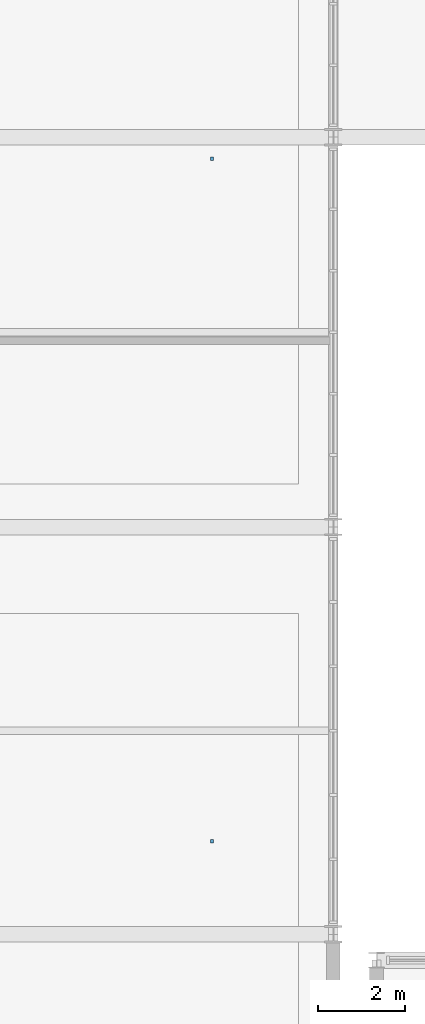
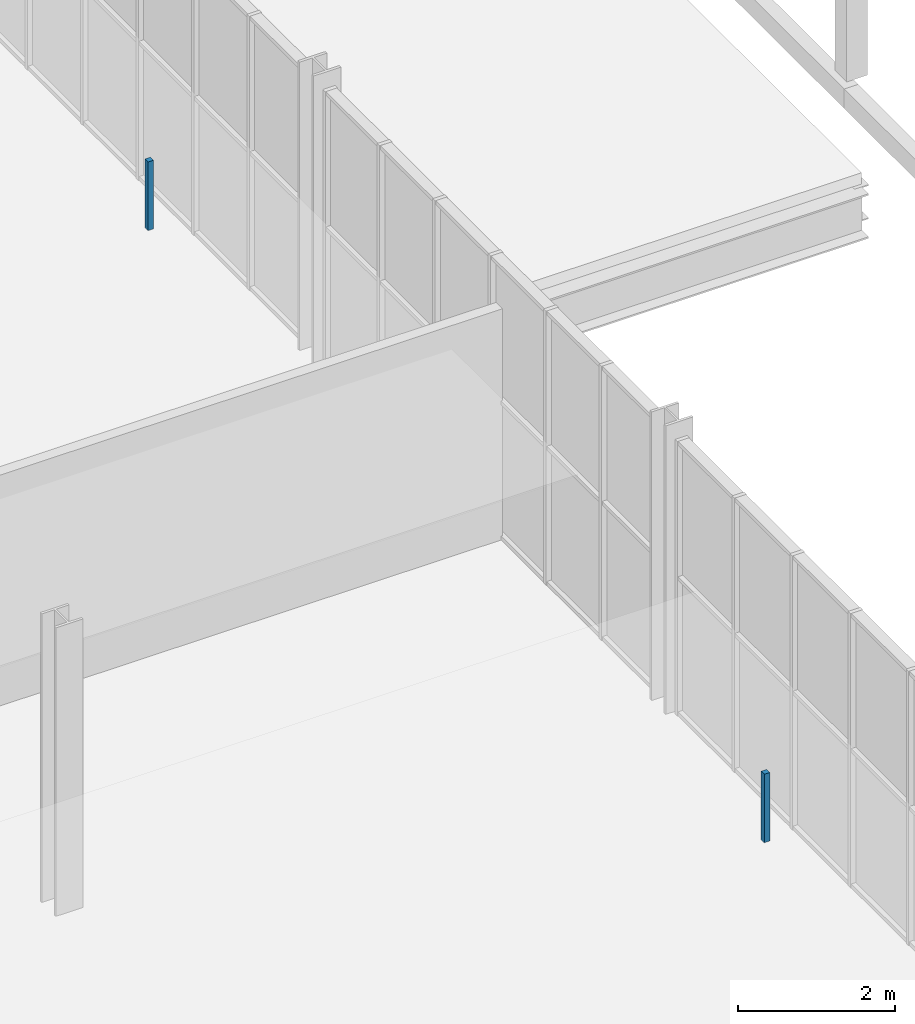
# One storey, part 120 of 134: 2 discrete accessories.
"""IFC4 building model written with IfcOpenShell, lengths in metres."""

from ifc_helpers import new_model, si_unit, direction, frame, origin, origin_2d, place, context, subcontext, project, spatial, rectangle, extrude, material, type_object, element, save


model = new_model("IFC4")

# Units and contexts
model_context = context("Model", 3, precision=1e-05, world=origin(), true_north=direction((0.0, 1.0)))
body_context = subcontext(model_context, "Body", "Model", "MODEL_VIEW")
ifc_project = project(units=[si_unit("LENGTHUNIT", "METRE"), si_unit("AREAUNIT", "SQUARE_METRE"), si_unit("VOLUMEUNIT", "CUBIC_METRE"), si_unit("PLANEANGLEUNIT", "RADIAN"), si_unit("MASSUNIT", "GRAM", prefix="KILO")], contexts=[model_context])

# Site, building, storey
site_placement = place(None, origin())
site = spatial("IfcSite", under=ifc_project, at=site_placement, CompositionType="ELEMENT")
building_placement = place(site_placement, origin())
building = spatial("IfcBuilding", under=site, at=building_placement, Name="Cazmaro Siding Exhibition Halls", CompositionType="ELEMENT")
storey_placement = place(building_placement, frame((0.0, 0.0, 12.0)))
storey = spatial("IfcBuildingStorey", under=building, at=storey_placement, Name="L02", CompositionType="ELEMENT", Elevation=12.0)

# Discrete accessories
ifc_material = material(Name="Steel ASTM A572 Grade 50", Category="steel")
discrete_accessory_type = type_object("IfcDiscreteAccessoryType", Name="SBK-02", PredefinedType="BRACKET", material=ifc_material)
for number, where, z_axis, x_axis, name in (
    (1, (33.199951171875, 65.75, 3.2197265625), (0.0, 0.0, 1.0), (1.0, 0.0, 0.0), "Ceiling Cloud Hanger Bracket SBK-02 010"),
    (2, (33.199951171875, 81.5, 3.2197265625), (0.0, 0.0, 1.0), (1.0, 0.0, 0.0), "Ceiling Cloud Hanger Bracket SBK-02 012"),
):
    element("IfcDiscreteAccessory", number, at=place(storey_placement, frame(where, z_axis=z_axis, x_axis=x_axis)), inside=storey, type_object=discrete_accessory_type, Name=name, PredefinedType="BRACKET", context=body_context, shape_type="SweptSolid", body=[
        extrude(rectangle(XDim=0.080078125, YDim=0.080078125, at=origin_2d()), origin(), (0.0, 0.0, 1.0), 1.070068359375),
    ])

save(model, "model.ifc")
